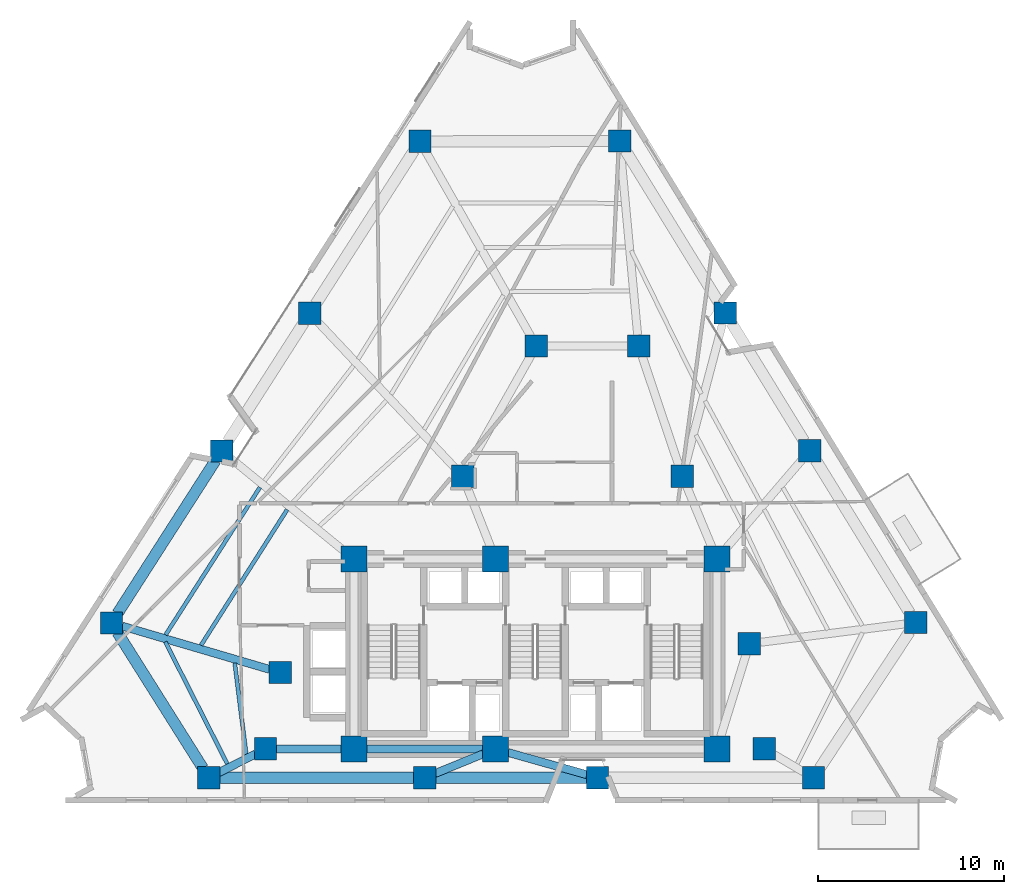
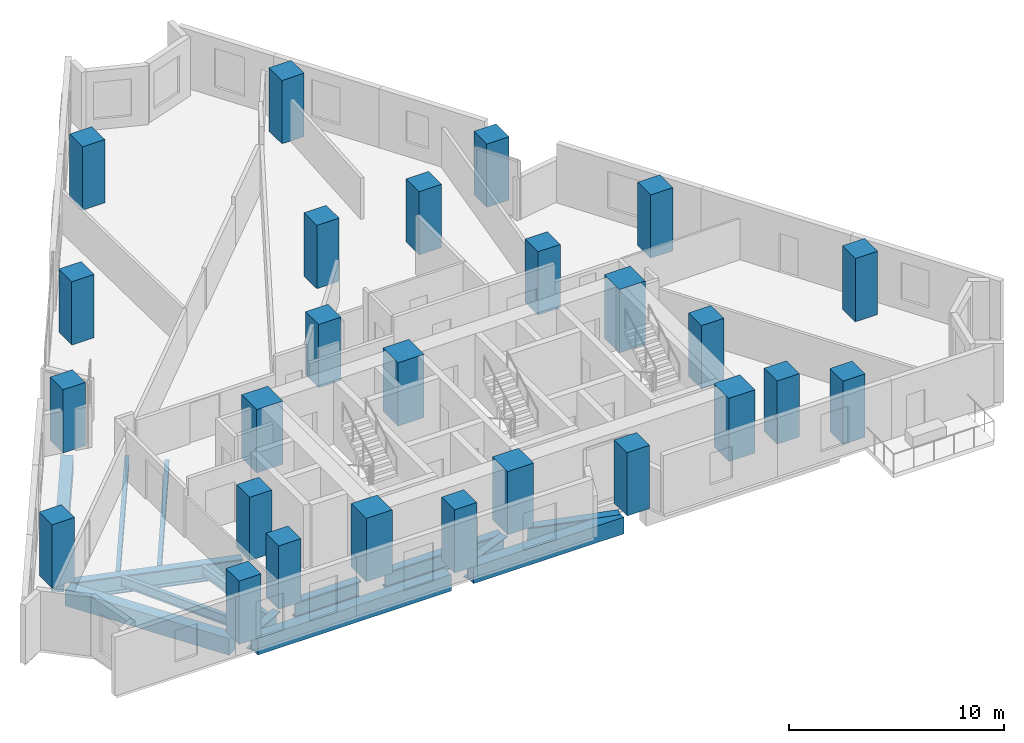
# One storey, part 1 of 12: 26 columns, 14 beams.
"""IFC4 building model written with IfcOpenShell, lengths in metres."""

from ifc_helpers import new_model, si_unit, direction, frame, origin, origin_2d, place, context, subcontext, project, spatial, rectangle, i_section, extrude, material, material_profile, profile_set, type_object, element, save


model = new_model("IFC4")

# Units and contexts
model_context = context("Model", 3, precision=1e-05, world=origin(), true_north=direction((0.0, 1.0)))
body_context = subcontext(model_context, "Body", "Model", "MODEL_VIEW")
ifc_project = project(units=[si_unit("LENGTHUNIT", "METRE"), si_unit("AREAUNIT", "SQUARE_METRE"), si_unit("VOLUMEUNIT", "CUBIC_METRE"), si_unit("PLANEANGLEUNIT", "RADIAN"), si_unit("MASSUNIT", "GRAM", prefix="KILO")], contexts=[model_context])

# Site, building, storey
site_placement = place(None, origin())
site = spatial("IfcSite", under=ifc_project, at=site_placement, CompositionType="ELEMENT")
building_placement = place(site_placement, origin())
building = spatial("IfcBuilding", under=site, at=building_placement, Name="Almagre Mirador Tower", CompositionType="ELEMENT")
storey_placement = place(building_placement, frame((0.0, 0.0, 93.0)))
storey = spatial("IfcBuildingStorey", under=building, at=storey_placement, Name="L23", CompositionType="ELEMENT", Elevation=93.0)

# Columns
ifc_material_1 = material(Name="Concrete C60/75", Category="concrete")
ifc_material_profile_1 = material_profile(ifc_material_1, rectangle(XDim=1.199951171875, YDim=1.199951171875, at=origin_2d()), Name="RC1200X1200")
ifc_profile_set_1 = profile_set([ifc_material_profile_1], Name="Concrete C60/75")
column_type_1 = type_object("IfcColumnType", Name="COL-RC1200", PredefinedType="COLUMN", material=ifc_profile_set_1)
for number, where, z_axis, x_axis, name in (
    (1, (22.800048828125, 4.550048828125, 0.0), (0.0, 0.0, 1.0), (1.0, 0.0, 0.0), "L23 interior transfer column MC1"),
    (2, (49.60009765625, 4.550048828125, 0.0), (0.0, 0.0, 1.0), (1.0, 0.0, 0.0), "L23 interior transfer column MC2"),
    (3, (48.800048828125, 10.199951171875, 0.0), (0.0, 0.0, 1.0), (1.0, 0.0, 0.0), "L23 interior transfer column MC3"),
    (4, (45.199951171875, 19.199951171875, 0.0), (0.0, 0.0, 1.0), (1.0, 0.0, 0.0), "L23 interior transfer column MC5"),
    (5, (42.85009765625, 26.199951171875, 0.0), (0.0, 0.0, 1.0), (1.0, 0.0, 0.0), "L23 interior transfer column MC6"),
    (6, (37.35009765625, 26.199951171875, 0.0), (0.0, 0.0, 1.0), (1.0, 0.0, 0.0), "L23 interior transfer column MC7"),
    (7, (33.39990234375, 19.199951171875, 0.0), (0.0, 0.0, 1.0), (1.0, 0.0, 0.0), "L23 interior transfer column MC8"),
    (8, (23.60009765625, 8.64990234375, 0.0), (0.0, 0.0, 1.0), (1.0, 0.0, 0.0), "L23 interior transfer column MC10"),
    (9, (19.760009765625, 3.0, 0.0), (0.0, 0.0, 1.0), (1.0, 0.0, 0.0), "L23 perimeter column PC01"),
    (10, (31.360107421875, 3.0, 0.0), (0.0, 0.0, 1.0), (1.0, 0.0, 0.0), "L23 perimeter column PC02"),
    (11, (40.639892578125, 3.0, 0.0), (0.0, 0.0, 1.0), (1.0, 0.0, 0.0), "L23 perimeter column PC03"),
    (12, (52.239990234375, 3.0, 0.0), (0.0, 0.0, 1.0), (1.0, 0.0, 0.0), "L23 perimeter column PC04"),
    (13, (57.72998046875, 11.3359375, 0.0), (0.0, 0.0, 1.0), (1.0, 0.0, 0.0), "L23 perimeter column PC05"),
    (14, (52.050048828125, 20.575927734375, 0.0), (0.0, 0.0, 1.0), (1.0, 0.0, 0.0), "L23 perimeter column PC06"),
    (15, (47.506103515625, 27.968017578125, 0.0), (0.0, 0.0, 1.0), (1.0, 0.0, 0.0), "L23 perimeter column PC07"),
    (16, (41.825927734375, 37.2080078125, 0.0), (0.0, 0.0, 1.0), (1.0, 0.0, 0.0), "L23 perimeter column PC08"),
    (17, (31.097900390625, 37.18896484375, 0.0), (0.0, 0.0, 1.0), (1.0, 0.0, 0.0), "L23 perimeter column PC09"),
    (18, (25.177978515625, 27.948974609375, 0.0), (0.0, 0.0, 1.0), (1.0, 0.0, 0.0), "L23 perimeter column PC10"),
    (19, (20.44189453125, 20.556884765625, 0.0), (0.0, 0.0, 1.0), (1.0, 0.0, 0.0), "L23 perimeter column PC11"),
    (20, (14.52197265625, 11.31689453125, 0.0), (0.0, 0.0, 1.0), (1.0, 0.0, 0.0), "L23 perimeter column PC12"),
):
    element("IfcColumn", number, at=place(storey_placement, frame(where, z_axis=z_axis, x_axis=x_axis)), inside=storey, type_object=column_type_1, Name=name, PredefinedType="COLUMN", context=body_context, shape_type="SweptSolid", body=[
        extrude(rectangle(XDim=1.199951171875, YDim=1.199951171875, at=origin_2d()), origin(), (0.0, 0.0, 1.0), 3.60009765625),
    ])
ifc_material_2 = material(Name="Concrete C60/75", Category="concrete")
ifc_material_profile_2 = material_profile(ifc_material_2, rectangle(XDim=1.39990234375, YDim=1.39990234375, at=origin_2d()), Name="RC1400X1400")
ifc_profile_set_2 = profile_set([ifc_material_profile_2], Name="Concrete C60/75")
column_type_2 = type_object("IfcColumnType", Name="COL-RC1400", PredefinedType="COLUMN", material=ifc_profile_set_2)
for number, where, z_axis, x_axis, name in (
    (21, (27.550048828125, 4.550048828125, 0.0), (0.0, 0.0, 1.0), (1.0, 0.0, 0.0), "L23 core spine column CC1"),
    (22, (35.14990234375, 4.550048828125, 0.0), (0.0, 0.0, 1.0), (1.0, 0.0, 0.0), "L23 core spine column CC2"),
    (23, (47.050048828125, 4.550048828125, 0.0), (0.0, 0.0, 1.0), (1.0, 0.0, 0.0), "L23 core spine column CC3"),
    (24, (27.550048828125, 14.75, 0.0), (0.0, 0.0, 1.0), (1.0, 0.0, 0.0), "L23 core spine column CC4"),
    (25, (35.14990234375, 14.75, 0.0), (0.0, 0.0, 1.0), (1.0, 0.0, 0.0), "L23 core spine column CC5"),
    (26, (47.050048828125, 14.75, 0.0), (0.0, 0.0, 1.0), (1.0, 0.0, 0.0), "L23 core spine column CC6"),
):
    element("IfcColumn", number, at=place(storey_placement, frame(where, z_axis=z_axis, x_axis=x_axis)), inside=storey, type_object=column_type_2, Name=name, PredefinedType="COLUMN", context=body_context, shape_type="SweptSolid", body=[
        extrude(rectangle(XDim=1.39990234375, YDim=1.39990234375, at=origin_2d()), origin(), (0.0, 0.0, 1.0), 3.60009765625),
    ])

# Beams
ifc_material_3 = material(Name="Steel ASTM A992 Grade 50", Category="steel")
ifc_material_profile_3 = material_profile(ifc_material_3, i_section(OverallWidth=0.214111328125, OverallDepth=0.549072265625, WebThickness=0.0146484375, FlangeThickness=0.023681640625, FilletRadius=0.01806640625, at=origin_2d()), Name="W21X93")
ifc_profile_set_3 = profile_set([ifc_material_profile_3], Name="Steel ASTM A992 Grade 50")
beam_type_1 = type_object("IfcBeamType", Name="BM-JST-W21X93", PredefinedType="JOIST", material=ifc_profile_set_3)
beam_1_placement = place(storey_placement, frame((22.499755859375, 18.601318359375, -0.5244140625), z_axis=(-0.538691298847, -0.842503225244, 0.0), x_axis=(0.842503225244, -0.538691298847, 0.0)))
element("IfcBeam", 27, at=beam_1_placement, inside=storey, type_object=beam_type_1, Name="L23 secondary floor joist PC11-PC12.1", PredefinedType="JOIST", context=body_context, shape_type="SweptSolid", body=[
    extrude(i_section(OverallWidth=0.214111328125, OverallDepth=0.549072265625, WebThickness=0.0146484375, FlangeThickness=0.023681640625, FilletRadius=0.01806640625, at=origin_2d()), origin(), (0.0, 0.0, 1.0), 9.40673828125),
])
beam_2_placement = place(storey_placement, frame((23.964599609375, 17.40478515625, -0.5244140625), z_axis=(-0.536295360878, -0.844030382096, 0.0), x_axis=(0.844030382096, -0.536295360878, 0.0)))
element("IfcBeam", 28, at=beam_2_placement, inside=storey, type_object=beam_type_1, Name="L23 secondary floor joist PC11-PC12.2", PredefinedType="JOIST", context=body_context, shape_type="SweptSolid", body=[
    extrude(i_section(OverallWidth=0.214111328125, OverallDepth=0.549072265625, WebThickness=0.0146484375, FlangeThickness=0.023681640625, FilletRadius=0.01806640625, at=origin_2d()), origin(), (0.0, 0.0, 1.0), 8.634033203125),
])
beam_3_placement = place(storey_placement, frame((17.4140625, 10.30517578125, -0.5244140625), z_axis=(0.453201108241, -0.891408298979, 0.0), x_axis=(0.891408298979, 0.453201108241, 0.0)))
element("IfcBeam", 29, at=beam_3_placement, inside=storey, type_object=beam_type_1, Name="L23 secondary floor joist PC12-PC01.1", PredefinedType="JOIST", context=body_context, shape_type="SweptSolid", body=[
    extrude(i_section(OverallWidth=0.214111328125, OverallDepth=0.549072265625, WebThickness=0.0146484375, FlangeThickness=0.023681640625, FilletRadius=0.01806640625, at=origin_2d()), origin(), (0.0, 0.0, 1.0), 7.35986328125),
])
beam_4_placement = place(storey_placement, frame((21.148681640625, 9.165771484375, -0.5244140625), z_axis=(0.124537963573, -0.992214843484, 0.0), x_axis=(0.992214843484, 0.124537963573, 0.0)))
element("IfcBeam", 30, at=beam_4_placement, inside=storey, type_object=beam_type_1, Name="L23 secondary floor joist PC12-PC01.3", PredefinedType="JOIST", context=body_context, shape_type="SweptSolid", body=[
    extrude(i_section(OverallWidth=0.214111328125, OverallDepth=0.549072265625, WebThickness=0.0146484375, FlangeThickness=0.023681640625, FilletRadius=0.01806640625, at=origin_2d()), origin(), (0.0, 0.0, 1.0), 4.955810546875),
])
ifc_material_4 = material(Name="Precast concrete C50/60", Category="concrete")
ifc_material_profile_4 = material_profile(ifc_material_4, rectangle(XDim=0.60009765625, YDim=0.949951171875, at=origin_2d()), Name="RC600X950")
ifc_profile_set_4 = profile_set([ifc_material_profile_4], Name="Precast concrete C50/60")
beam_type_2 = type_object("IfcBeamType", Name="BM-SPN-RC600X950", PredefinedType="SPANDREL", material=ifc_profile_set_4)
beam_5_placement = place(storey_placement, frame((20.360107421875, 3.0, -0.72509765625), z_axis=(1.0, 0.0, 0.0), x_axis=(0.0, 1.0, 0.0)))
element("IfcBeam", 31, at=beam_5_placement, inside=storey, type_object=beam_type_2, Name="L23 perimeter spandrel beam PC01-PC02", PredefinedType="SPANDREL", context=body_context, shape_type="SweptSolid", body=[
    extrude(rectangle(XDim=0.60009765625, YDim=0.949951171875, at=origin_2d()), origin(), (0.0, 0.0, 1.0), 10.39990234375),
])
beam_6_placement = place(storey_placement, frame((31.9599609375, 3.0, -0.72509765625), z_axis=(1.0, 0.0, 0.0), x_axis=(0.0, 1.0, 0.0)))
element("IfcBeam", 32, at=beam_6_placement, inside=storey, type_object=beam_type_2, Name="L23 perimeter spandrel beam PC02-PC03", PredefinedType="SPANDREL", context=body_context, shape_type="SweptSolid", body=[
    extrude(rectangle(XDim=0.60009765625, YDim=0.949951171875, at=origin_2d()), origin(), (0.0, 0.0, 1.0), 8.080078125),
])
beam_7_placement = place(storey_placement, frame((20.118408203125, 20.0517578125, -0.72509765625), z_axis=(-0.539476801219, -0.842000463745, 0.0), x_axis=(0.842000463745, -0.539476801219, 0.0)))
element("IfcBeam", 33, at=beam_7_placement, inside=storey, type_object=beam_type_2, Name="L23 perimeter spandrel beam PC11-PC12", PredefinedType="SPANDREL", context=body_context, shape_type="SweptSolid", body=[
    extrude(rectangle(XDim=0.60009765625, YDim=0.949951171875, at=origin_2d()), origin(), (0.0, 0.0, 1.0), 9.773681640625),
])
beam_8_placement = place(storey_placement, frame((14.841796875, 10.809326171875, -0.72509765625), z_axis=(0.532907818856, -0.846173301754, 0.0), x_axis=(0.846173301754, 0.532907818856, 0.0)))
element("IfcBeam", 34, at=beam_8_placement, inside=storey, type_object=beam_type_2, Name="L23 perimeter spandrel beam PC12-PC01", PredefinedType="SPANDREL", context=body_context, shape_type="SweptSolid", body=[
    extrude(rectangle(XDim=0.60009765625, YDim=0.949951171875, at=origin_2d()), origin(), (0.0, 0.0, 1.0), 8.62890625),
])
ifc_material_5 = material(Name="Steel ASTM A992 Grade 50", Category="steel")
ifc_material_profile_5 = material_profile(ifc_material_5, i_section(OverallWidth=0.427978515625, OverallDepth=0.97509765625, WebThickness=0.031005859375, FlangeThickness=0.055908203125, FilletRadius=0.028076171875, at=origin_2d()), Name="W36X395")
ifc_profile_set_5 = profile_set([ifc_material_profile_5], Name="Steel ASTM A992 Grade 50")
beam_type_3 = type_object("IfcBeamType", Name="BM-STL-W36X395", PredefinedType="BEAM", material=ifc_profile_set_5)
beam_9_placement = place(storey_placement, frame((20.29443359375, 3.2724609375, -0.737548828125), z_axis=(0.890845728366, 0.454305941247, 0.0), x_axis=(-0.454305941247, 0.890845728366, 0.0)))
element("IfcBeam", 35, at=beam_9_placement, inside=storey, type_object=beam_type_3, Name="L23 radial floor girder PC01-MC1", PredefinedType="BEAM", context=body_context, shape_type="SweptSolid", body=[
    extrude(i_section(OverallWidth=0.427978515625, OverallDepth=0.97509765625, WebThickness=0.031005859375, FlangeThickness=0.055908203125, FilletRadius=0.028076171875, at=origin_2d()), origin(), (0.0, 0.0, 1.0), 2.21240234375),
])
beam_10_placement = place(storey_placement, frame((31.915283203125, 3.22705078125, -0.737548828125), z_axis=(0.925599823227, 0.378503589472, 0.0), x_axis=(-0.378503589472, 0.925599823227, 0.0)))
element("IfcBeam", 36, at=beam_10_placement, inside=storey, type_object=beam_type_3, Name="L23 radial floor girder PC02-CC2", PredefinedType="BEAM", context=body_context, shape_type="SweptSolid", body=[
    extrude(i_section(OverallWidth=0.427978515625, OverallDepth=0.97509765625, WebThickness=0.031005859375, FlangeThickness=0.055908203125, FilletRadius=0.028076171875, at=origin_2d()), origin(), (0.0, 0.0, 1.0), 2.794921875),
])
beam_11_placement = place(storey_placement, frame((40.0625, 3.1630859375, -0.737548828125), z_axis=(-0.962376859891, 0.271718198778, 0.0), x_axis=(-0.271718198778, -0.962376859891, 0.0)))
element("IfcBeam", 37, at=beam_11_placement, inside=storey, type_object=beam_type_3, Name="L23 radial floor girder PC03-CC2", PredefinedType="BEAM", context=body_context, shape_type="SweptSolid", body=[
    extrude(i_section(OverallWidth=0.427978515625, OverallDepth=0.97509765625, WebThickness=0.031005859375, FlangeThickness=0.055908203125, FilletRadius=0.028076171875, at=origin_2d()), origin(), (0.0, 0.0, 1.0), 4.404541015625),
])
beam_12_placement = place(storey_placement, frame((15.09765625, 11.14794921875, -0.737548828125), z_axis=(0.959448747286, -0.281883134174, 0.0), x_axis=(0.281883134174, 0.959448747286, 0.0)))
element("IfcBeam", 38, at=beam_12_placement, inside=storey, type_object=beam_type_3, Name="L23 radial floor girder PC12-MC10", PredefinedType="BEAM", context=body_context, shape_type="SweptSolid", body=[
    extrude(i_section(OverallWidth=0.427978515625, OverallDepth=0.97509765625, WebThickness=0.031005859375, FlangeThickness=0.055908203125, FilletRadius=0.028076171875, at=origin_2d()), origin(), (0.0, 0.0, 1.0), 8.26171875),
])
ifc_material_6 = material(Name="Steel ASTM A992 Grade 50", Category="steel")
ifc_material_profile_6 = material_profile(ifc_material_6, i_section(OverallWidth=0.43701171875, OverallDepth=1.010986328125, WebThickness=0.041015625, FlangeThickness=0.073974609375, FilletRadius=0.028076171875, at=origin_2d()), Name="W36X529")
ifc_profile_set_6 = profile_set([ifc_material_profile_6], Name="Steel ASTM A992 Grade 50")
beam_type_4 = type_object("IfcBeamType", Name="BM-STL-W36X529", PredefinedType="BEAM", material=ifc_profile_set_6)
beam_13_placement = place(storey_placement, frame((28.25, 4.550048828125, -0.755615234375), z_axis=(1.0, 0.0, 0.0), x_axis=(0.0, 1.0, 0.0)))
element("IfcBeam", 39, at=beam_13_placement, inside=storey, type_object=beam_type_4, Name="L23 core tie girder CC1-CC2", PredefinedType="BEAM", context=body_context, shape_type="SweptSolid", body=[
    extrude(i_section(OverallWidth=0.43701171875, OverallDepth=1.010986328125, WebThickness=0.041015625, FlangeThickness=0.073974609375, FilletRadius=0.028076171875, at=origin_2d()), origin(), (0.0, 0.0, 1.0), 6.199951171875),
])
beam_14_placement = place(storey_placement, frame((23.39990234375, 4.550048828125, -0.755615234375), z_axis=(1.0, 0.0, 0.0), x_axis=(0.0, 1.0, 0.0)))
element("IfcBeam", 40, at=beam_14_placement, inside=storey, type_object=beam_type_4, Name="L23 core tie girder MC1-CC1", PredefinedType="BEAM", context=body_context, shape_type="SweptSolid", body=[
    extrude(i_section(OverallWidth=0.43701171875, OverallDepth=1.010986328125, WebThickness=0.041015625, FlangeThickness=0.073974609375, FilletRadius=0.028076171875, at=origin_2d()), origin(), (0.0, 0.0, 1.0), 3.4501953125),
])

save(model, "model.ifc")
